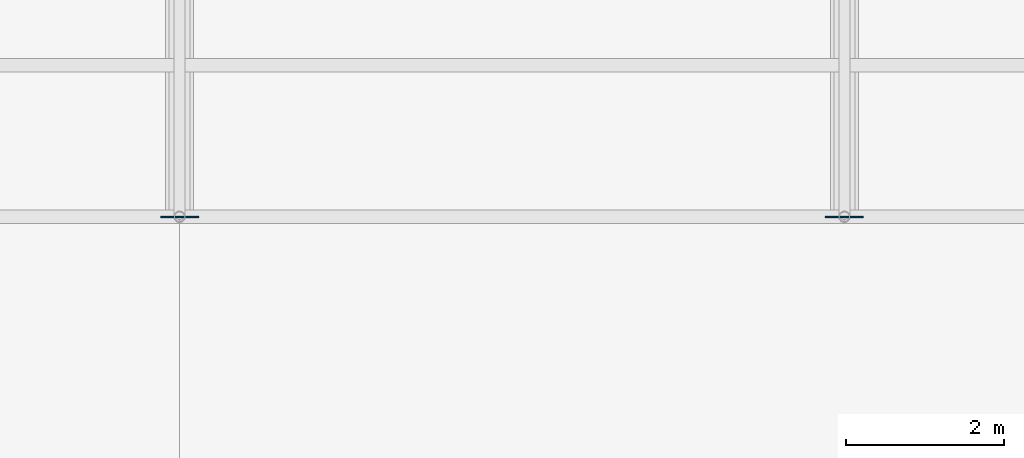
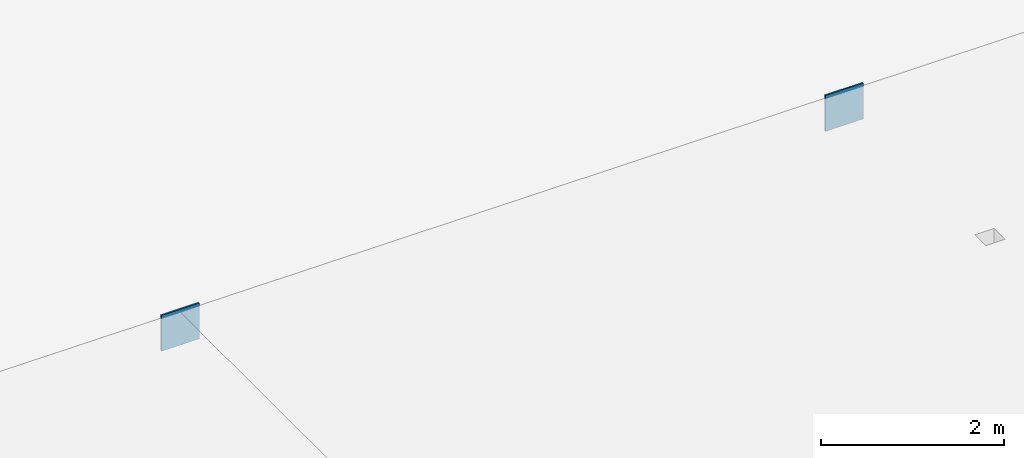
# One storey, part 160 of 194: 2 plates.
"""IFC4 building model written with IfcOpenShell, lengths in metres."""

from ifc_helpers import new_model, si_unit, direction, frame, origin, origin_2d, place, context, subcontext, project, spatial, rectangle, extrude, material, layer, layer_set, type_object, element, save


model = new_model("IFC4")

# Units and contexts
model_context = context("Model", 3, precision=1e-05, world=origin(), true_north=direction((0.0, 1.0)))
body_context = subcontext(model_context, "Body", "Model", "MODEL_VIEW")
ifc_project = project(units=[si_unit("LENGTHUNIT", "METRE"), si_unit("AREAUNIT", "SQUARE_METRE"), si_unit("VOLUMEUNIT", "CUBIC_METRE"), si_unit("PLANEANGLEUNIT", "RADIAN"), si_unit("MASSUNIT", "GRAM", prefix="KILO")], contexts=[model_context])

# Site, building, storey
site_placement = place(None, origin())
site = spatial("IfcSite", under=ifc_project, at=site_placement, CompositionType="ELEMENT")
building_placement = place(site_placement, origin())
building = spatial("IfcBuilding", under=site, at=building_placement, Name="Kazenagashi Tramway Depot", CompositionType="ELEMENT")
storey_placement = place(building_placement, frame((0.0, 0.0, 23.7)))
storey = spatial("IfcBuildingStorey", under=building, at=storey_placement, Name="ROOF", CompositionType="ELEMENT", Elevation=23.7)

# Plates
ifc_material = material(Name="Steel SN490B", Category="steel")
ifc_layer = layer(ifc_material, 0.019)
ifc_layer_set = layer_set([ifc_layer], Name="Steel SN490B")
plate_type = type_object("IfcPlateType", Name="GP-02", PredefinedType="USERDEFINED", material=ifc_layer_set)
for number, where, z_axis, x_axis, name in (
    (1, (112.0, 22.9, -8.84), (0.0, 0.0, 1.0), (1.0, 0.0, 0.0), "Structural Node Plate GP-02 PLT-0128"),
    (2, (120.4, 22.9, -8.84), (0.0, 0.0, 1.0), (1.0, 0.0, 0.0), "Structural Node Plate GP-02 PLT-0129"),
):
    element("IfcPlate", number, at=place(storey_placement, frame(where, z_axis=z_axis, x_axis=x_axis)), inside=storey, type_object=plate_type, Name=name, ObjectType="GUSSET PLATE", PredefinedType="USERDEFINED", context=body_context, shape_type="SweptSolid", body=[
        extrude(rectangle(XDim=0.48, YDim=0.019, at=origin_2d()), origin(), (0.0, 0.0, 1.0), 0.48),
    ])

save(model, "model.ifc")
